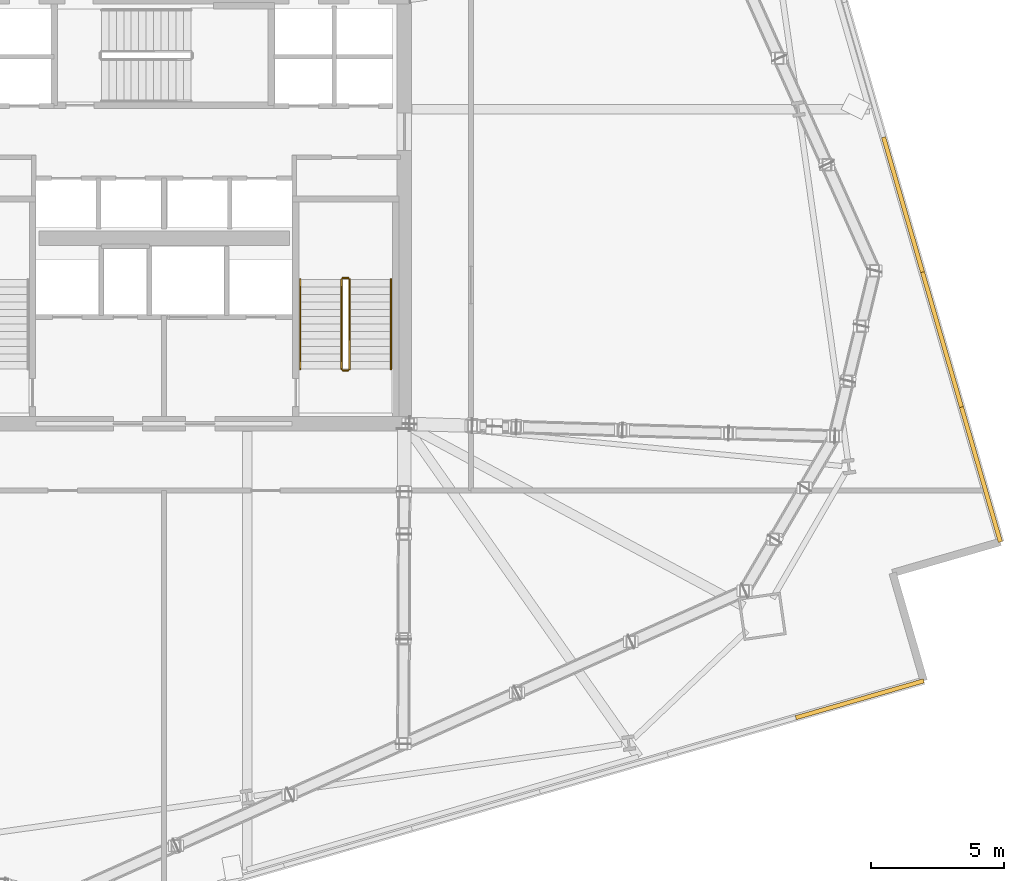
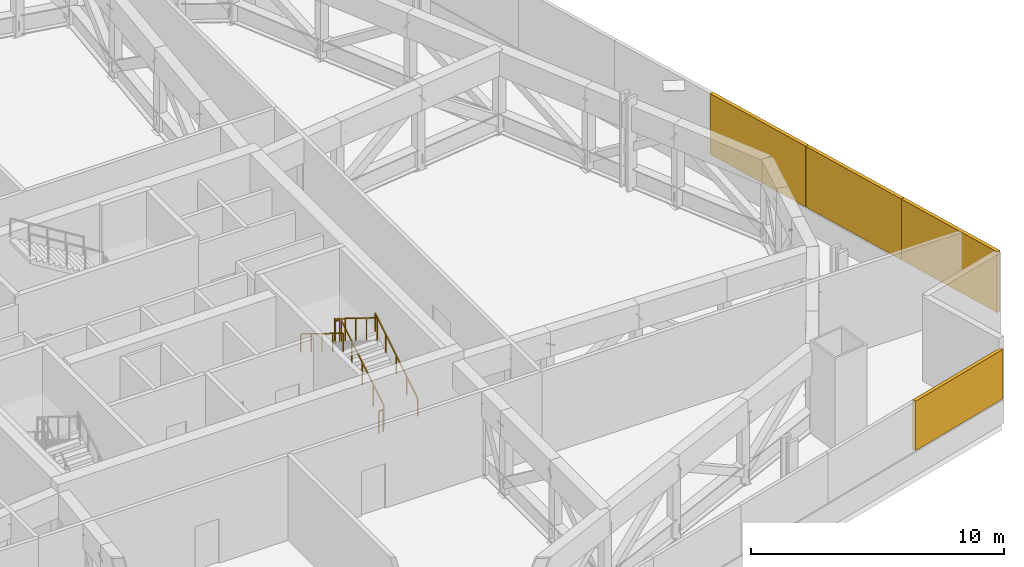
# One storey, part 17 of 19: 6 railings, 4 shading devices.
"""IFC4 building model written with IfcOpenShell, lengths in metres."""

from ifc_helpers import new_model, si_unit, direction, frame, origin, origin_2d, place, context, subcontext, project, spatial, rectangle, extrude, source, transform, mapped, material, layer, layer_set, type_object, element, save


model = new_model("IFC4")

# Units and contexts
model_context = context("Model", 3, precision=1e-05, world=origin(), true_north=direction((0.0, 1.0)))
body_context = subcontext(model_context, "Body", "Model", "MODEL_VIEW")
ifc_project = project(units=[si_unit("LENGTHUNIT", "METRE"), si_unit("AREAUNIT", "SQUARE_METRE"), si_unit("VOLUMEUNIT", "CUBIC_METRE"), si_unit("PLANEANGLEUNIT", "RADIAN"), si_unit("MASSUNIT", "GRAM", prefix="KILO")], contexts=[model_context])

# Site, building, storey
site_placement = place(None, origin())
site = spatial("IfcSite", under=ifc_project, at=site_placement, CompositionType="ELEMENT")
building_placement = place(site_placement, origin())
building = spatial("IfcBuilding", under=site, at=building_placement, Name="Haldenkirk Collegiate Tower", CompositionType="ELEMENT")
storey_placement = place(building_placement, frame((0.0, 0.0, 81.449951171875)))
storey = spatial("IfcBuildingStorey", under=building, at=storey_placement, Name="L19", CompositionType="ELEMENT", Elevation=81.449951171875)

# Railings
ifc_material_1 = material(Name="Painted architectural tubular steel", Category="steel")
railing_type_1 = type_object("IfcRailingType", Name="RLG-STAIR-GUARD-1100", PredefinedType="BALUSTRADE", material=ifc_material_1)
railing_1_placement = place(storey_placement, frame((42.949951171875, 20.050048828125, 0.173095703125)))
element("IfcRailing", 1, at=railing_1_placement, inside=storey, type_object=railing_type_1, Name="L19 ST-2 stair guard 1", PredefinedType="BALUSTRADE", context=body_context, shape_type="SweptSolid", body=[
    extrude(rectangle(XDim=0.048095703125, YDim=0.048095703125, at=origin_2d()), frame((0.0, 0.0, 1.076171875), z_axis=(0.0, 0.850606129759, 0.525803396734), x_axis=(-1.0, 0.0, 0.0)), (0.0, 0.0, 1.0), 3.949951171875),
    extrude(rectangle(XDim=0.0419921875, YDim=0.0419921875, at=origin_2d()), origin(), (0.0, 0.0, 1.0), 1.052001953125),
    extrude(rectangle(XDim=0.0419921875, YDim=0.0419921875, at=origin_2d()), frame((0.0, 0.83984375, 0.519287109375)), (0.0, 0.0, 1.0), 1.052001953125),
    extrude(rectangle(XDim=0.0419921875, YDim=0.0419921875, at=origin_2d()), frame((0.0, 1.679931640625, 1.03857421875)), (0.0, 0.0, 1.0), 1.052001953125),
    extrude(rectangle(XDim=0.0419921875, YDim=0.0419921875, at=origin_2d()), frame((0.0, 2.52001953125, 1.5576171875)), (0.0, 0.0, 1.0), 1.052001953125),
    extrude(rectangle(XDim=0.0419921875, YDim=0.0419921875, at=origin_2d()), frame((0.0, 3.35986328125, 2.076904296875)), (0.0, 0.0, 1.0), 1.052001953125),
])
railing_2_placement = place(storey_placement, frame((42.89990234375, 23.4599609375, 2.25)))
element("IfcRailing", 2, at=railing_2_placement, inside=storey, type_object=railing_type_1, Name="L19 ST-2 stair guard 2", PredefinedType="BALUSTRADE", context=body_context, shape_type="SweptSolid", body=[
    extrude(rectangle(XDim=0.048095703125, YDim=0.048095703125, at=origin_2d()), frame((0.0, 0.0, 1.076171875), z_axis=(-1.0, 0.0, 0.0), x_axis=(0.0, -1.0, 0.0)), (0.0, 0.0, 1.0), 0.199951171875),
    extrude(rectangle(XDim=0.0419921875, YDim=0.0419921875, at=origin_2d()), origin(), (0.0, 0.0, 1.0), 1.052001953125),
    extrude(rectangle(XDim=0.0419921875, YDim=0.0419921875, at=origin_2d()), frame((-0.199951171875, 0.0, 0.0)), (0.0, 0.0, 1.0), 1.052001953125),
])
railing_3_placement = place(storey_placement, frame((42.64990234375, 23.409912109375, 2.423095703125)))
element("IfcRailing", 3, at=railing_3_placement, inside=storey, type_object=railing_type_1, Name="L19 ST-2 stair guard 3", PredefinedType="BALUSTRADE", context=body_context, shape_type="SweptSolid", body=[
    extrude(rectangle(XDim=0.048095703125, YDim=0.048095703125, at=origin_2d()), frame((0.0, 0.0, 1.076171875), z_axis=(0.0, -0.850606129759, 0.525803396734), x_axis=(1.0, 0.0, 0.0)), (0.0, 0.0, 1.0), 3.949951171875),
    extrude(rectangle(XDim=0.0419921875, YDim=0.0419921875, at=origin_2d()), origin(), (0.0, 0.0, 1.0), 1.052001953125),
    extrude(rectangle(XDim=0.0419921875, YDim=0.0419921875, at=origin_2d()), frame((0.0, -0.83984375, 0.519287109375)), (0.0, 0.0, 1.0), 1.052001953125),
    extrude(rectangle(XDim=0.0419921875, YDim=0.0419921875, at=origin_2d()), frame((0.0, -1.679931640625, 1.03857421875)), (0.0, 0.0, 1.0), 1.052001953125),
    extrude(rectangle(XDim=0.0419921875, YDim=0.0419921875, at=origin_2d()), frame((0.0, -2.52001953125, 1.5576171875)), (0.0, 0.0, 1.0), 1.052001953125),
    extrude(rectangle(XDim=0.0419921875, YDim=0.0419921875, at=origin_2d()), frame((0.0, -3.35986328125, 2.076904296875)), (0.0, 0.0, 1.0), 1.052001953125),
])
railing_4_placement = place(storey_placement, frame((42.89990234375, 20.0, 0.0)))
element("IfcRailing", 4, at=railing_4_placement, inside=storey, type_object=railing_type_1, Name="L19 ST-2 stair guard 4", PredefinedType="BALUSTRADE", context=body_context, shape_type="SweptSolid", body=[
    extrude(rectangle(XDim=0.048095703125, YDim=0.048095703125, at=origin_2d()), frame((0.0, 0.0, 1.076171875), z_axis=(-1.0, 0.0, 0.0), x_axis=(0.0, -1.0, 0.0)), (0.0, 0.0, 1.0), 0.199951171875),
    extrude(rectangle(XDim=0.0419921875, YDim=0.0419921875, at=origin_2d()), origin(), (0.0, 0.0, 1.0), 1.052001953125),
    extrude(rectangle(XDim=0.0419921875, YDim=0.0419921875, at=origin_2d()), frame((-0.199951171875, 0.0, 0.0)), (0.0, 0.0, 1.0), 1.052001953125),
])
railing_type_2 = type_object("IfcRailingType", Name="RLG-STAIR-HANDRAIL-900", PredefinedType="HANDRAIL", material=ifc_material_1)
railing_5_placement = place(storey_placement, frame((44.5, 20.050048828125, 0.173095703125)))
element("IfcRailing", 5, at=railing_5_placement, inside=storey, type_object=railing_type_2, Name="L19 ST-2 stair handrail 1", PredefinedType="HANDRAIL", context=body_context, shape_type="SweptSolid", body=[
    extrude(rectangle(XDim=0.048095703125, YDim=0.048095703125, at=origin_2d()), frame((0.0, 0.0, 0.8759765625), z_axis=(0.0, 0.850606129759, 0.525803396734), x_axis=(-1.0, 0.0, 0.0)), (0.0, 0.0, 1.0), 3.949951171875),
    extrude(rectangle(XDim=0.0419921875, YDim=0.0419921875, at=origin_2d()), origin(), (0.0, 0.0, 1.0), 0.851806640625),
    extrude(rectangle(XDim=0.0419921875, YDim=0.0419921875, at=origin_2d()), frame((0.0, 0.83984375, 0.519287109375)), (0.0, 0.0, 1.0), 0.851806640625),
    extrude(rectangle(XDim=0.0419921875, YDim=0.0419921875, at=origin_2d()), frame((0.0, 1.679931640625, 1.03857421875)), (0.0, 0.0, 1.0), 0.851806640625),
    extrude(rectangle(XDim=0.0419921875, YDim=0.0419921875, at=origin_2d()), frame((0.0, 2.52001953125, 1.5576171875)), (0.0, 0.0, 1.0), 0.851806640625),
    extrude(rectangle(XDim=0.0419921875, YDim=0.0419921875, at=origin_2d()), frame((0.0, 3.35986328125, 2.076904296875)), (0.0, 0.0, 1.0), 0.851806640625),
])
railing_6_placement = place(storey_placement, frame((41.10009765625, 23.409912109375, 2.423095703125)))
element("IfcRailing", 6, at=railing_6_placement, inside=storey, type_object=railing_type_2, Name="L19 ST-2 stair handrail 2", PredefinedType="HANDRAIL", context=body_context, shape_type="SweptSolid", body=[
    extrude(rectangle(XDim=0.048095703125, YDim=0.048095703125, at=origin_2d()), frame((0.0, 0.0, 0.8759765625), z_axis=(0.0, -0.850606129759, 0.525803396734), x_axis=(1.0, 0.0, 0.0)), (0.0, 0.0, 1.0), 3.949951171875),
    extrude(rectangle(XDim=0.0419921875, YDim=0.0419921875, at=origin_2d()), origin(), (0.0, 0.0, 1.0), 0.851806640625),
    extrude(rectangle(XDim=0.0419921875, YDim=0.0419921875, at=origin_2d()), frame((0.0, -0.83984375, 0.519287109375)), (0.0, 0.0, 1.0), 0.851806640625),
    extrude(rectangle(XDim=0.0419921875, YDim=0.0419921875, at=origin_2d()), frame((0.0, -1.679931640625, 1.03857421875)), (0.0, 0.0, 1.0), 0.851806640625),
    extrude(rectangle(XDim=0.0419921875, YDim=0.0419921875, at=origin_2d()), frame((0.0, -2.52001953125, 1.5576171875)), (0.0, 0.0, 1.0), 0.851806640625),
    extrude(rectangle(XDim=0.0419921875, YDim=0.0419921875, at=origin_2d()), frame((0.0, -3.35986328125, 2.076904296875)), (0.0, 0.0, 1.0), 0.851806640625),
])

# Shading devices
ifc_material_2 = material(Name="Anodised architectural bronze aluminium", Category="aluminium")
ifc_layer = layer(ifc_material_2, 0.139892578125)
ifc_layer_set = layer_set([ifc_layer], Name="Anodised architectural bronze aluminium")
shading_device_type = type_object("IfcShadingDeviceType", Name="SHD-LOUVRE-CROWN", PredefinedType="JALOUSIE", material=ifc_layer_set)
shared_shape_1 = source(origin(), body_context, "Body", "SweptSolid", [
    extrude(rectangle(XDim=4.989013671875, YDim=0.159912109375, at=origin_2d()), origin(), (0.0, 0.0, 1.0), 2.39111328125),
])
shading_device_placement = place(storey_placement, frame((62.05712890625, 7.6826171875, 1.14990234375), z_axis=(0.0, 0.0, 1.0), x_axis=(-0.960779154158, -0.277314653302, 0.0)))
element("IfcShadingDevice", 7, at=shading_device_placement, inside=storey, type_object=shading_device_type, Name="L19 mechanical intake louvre screen S1", PredefinedType="JALOUSIE", context=body_context, shape_type="MappedRepresentation", body=[
    mapped(shared_shape_1, transform((0.0, 0.0, 0.0), x_axis=(1.0, 0.0, 0.0), y_axis=(0.0, 1.0, 0.0), z_axis=(0.0, 0.0, 1.0), scale=1.0)),
])
shared_shape_2 = source(origin(), body_context, "Body", "SweptSolid", [
    extrude(rectangle(XDim=5.259521484375, YDim=0.159912109375, at=origin_2d()), origin(), (0.0, 0.0, 1.0), 2.93994140625),
])
for number, where, z_axis, x_axis, name in (
    (8, (63.677978515625, 26.20703125, 1.150146484375), (0.0, 0.0, 1.0), (0.277314653302, -0.960779154158, 0.0), "L19 mechanical intake louvre screen E6"),
    (9, (65.13671875, 21.154052734375, 1.150146484375), (0.0, 0.0, 1.0), (0.277314653302, -0.960779154158, 0.0), "L19 mechanical intake louvre screen E7"),
    (10, (66.59521484375, 16.100830078125, 1.150146484375), (0.0, 0.0, 1.0), (0.277314653302, -0.960779154158, 0.0), "L19 mechanical intake louvre screen E8"),
):
    element("IfcShadingDevice", number, at=place(storey_placement, frame(where, z_axis=z_axis, x_axis=x_axis)), inside=storey, type_object=shading_device_type, Name=name, PredefinedType="JALOUSIE", context=body_context, shape_type="MappedRepresentation", body=[
        mapped(shared_shape_2, transform((0.0, 0.0, 0.0), x_axis=(1.0, 0.0, 0.0), y_axis=(0.0, 1.0, 0.0), z_axis=(0.0, 0.0, 1.0), scale=1.0)),
    ])

save(model, "model.ifc")
